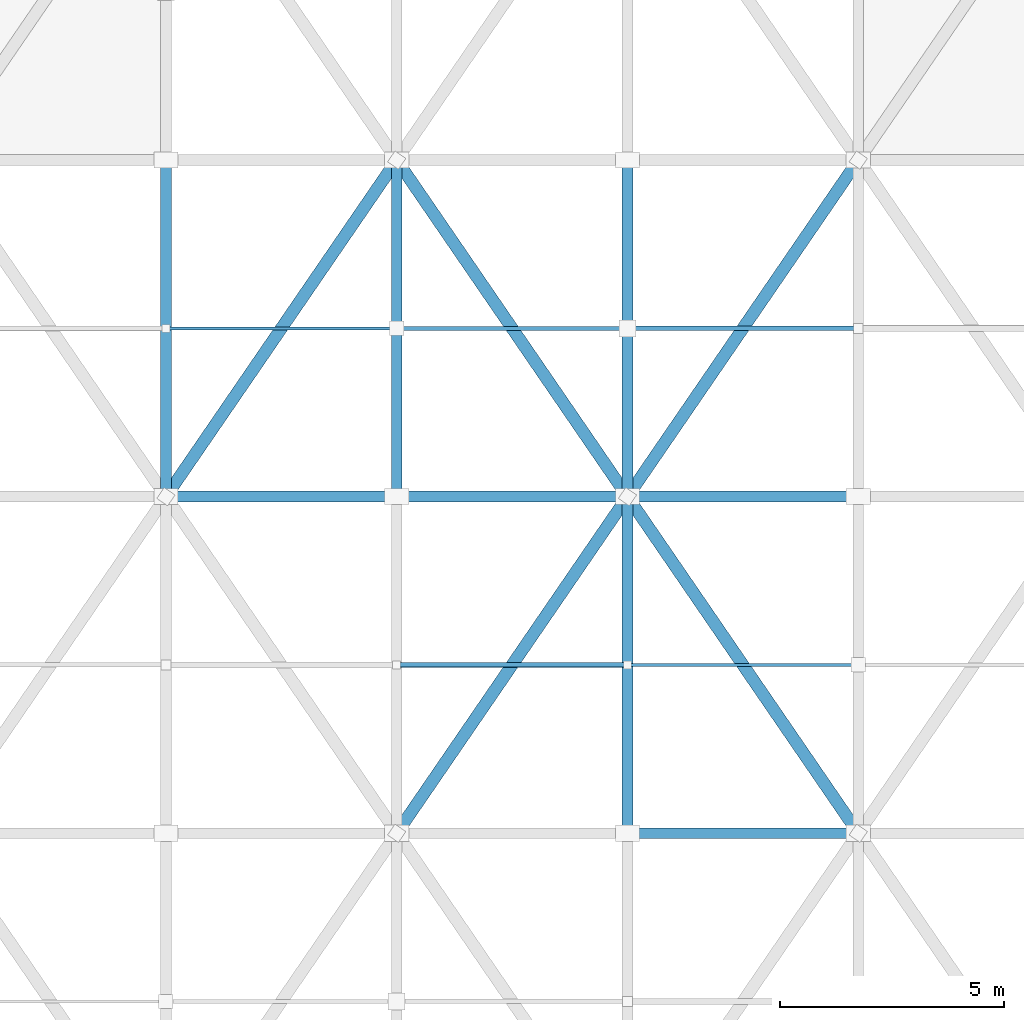
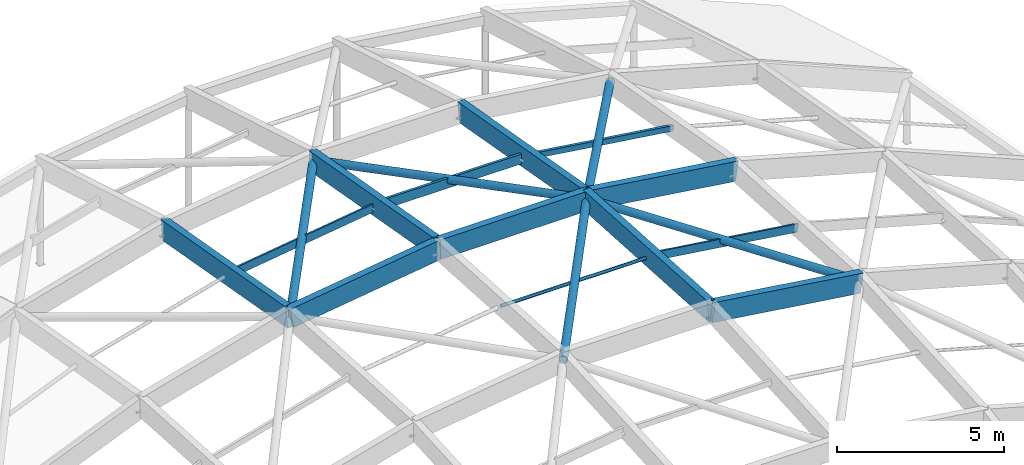
# One storey, part 43 of 81: 18 members.
"""IFC4 building model written with IfcOpenShell, lengths in metres."""

from ifc_helpers import new_model, si_unit, direction, frame, origin, origin_2d, place, context, subcontext, project, spatial, rectangle, hollow_rectangle, hollow_circle, extrude, material, material_profile, profile_set, type_object, element, save


model = new_model("IFC4")

# Units and contexts
model_context = context("Model", 3, precision=1e-05, world=origin(), true_north=direction((0.0, 1.0)))
body_context = subcontext(model_context, "Body", "Model", "MODEL_VIEW")
ifc_project = project(units=[si_unit("LENGTHUNIT", "METRE"), si_unit("AREAUNIT", "SQUARE_METRE"), si_unit("VOLUMEUNIT", "CUBIC_METRE"), si_unit("PLANEANGLEUNIT", "RADIAN"), si_unit("MASSUNIT", "GRAM", prefix="KILO")], contexts=[model_context])

# Site, building, storey
site_placement = place(None, origin())
site = spatial("IfcSite", under=ifc_project, at=site_placement, CompositionType="ELEMENT")
building_placement = place(site_placement, origin())
building = spatial("IfcBuilding", under=site, at=building_placement, Name="Marnridge Secondary College", CompositionType="ELEMENT")
storey_placement = place(building_placement, frame((0.0, 0.0, 8.5)))
storey = spatial("IfcBuildingStorey", under=building, at=storey_placement, Name="L02", CompositionType="ELEMENT", Elevation=8.5)

# Members
ifc_material_1 = material(Name="Cold-formed steel Grade C350L0 (AS/NZS 1163, fy = 350 MPa)", Category="steel")
ifc_material_profile_1 = material_profile(ifc_material_1, hollow_circle(Radius=0.136474609375, WallThickness=0.00927734375, at=origin_2d()), Name="273.1x9.3CHS")
ifc_profile_set_1 = profile_set([ifc_material_profile_1], Name="Cold-formed steel Grade C350L0 (AS/NZS 1163, fy = 350 MPa)")
member_type_1 = type_object("IfcMemberType", Name="MB-GS-CHS273", PredefinedType="BRACE", material=ifc_profile_set_1)
member_1_placement = place(storey_placement, frame((145.28564453125, 105.0, 7.247314453125), z_axis=(0.564255238618, 0.82283874159, -0.067471705406), x_axis=(-0.824718119143, 0.565544007092, 0.0)))
element("IfcMember", 1, at=member_1_placement, inside=storey, type_object=member_type_1, Name="Gridshell member GR-0114", PredefinedType="BRACE", context=body_context, shape_type="SweptSolid", body=[
    extrude(hollow_circle(Radius=0.136474609375, WallThickness=0.00927734375, at=origin_2d()), origin(), (0.0, 0.0, 1.0), 9.11474609375),
])
member_2_placement = place(storey_placement, frame((150.4287109375, 97.5, 8.41015625), z_axis=(0.564833626367, 0.823760396981, -0.048803513102), x_axis=(-0.824743162089, 0.565507485881, 0.0)))
element("IfcMember", 2, at=member_2_placement, inside=storey, type_object=member_type_1, Name="Gridshell member GR-0119", PredefinedType="BRACE", context=body_context, shape_type="SweptSolid", body=[
    extrude(hollow_circle(Radius=0.136474609375, WallThickness=0.00927734375, at=origin_2d()), origin(), (0.0, 0.0, 1.0), 9.1044921875),
])
member_3_placement = place(storey_placement, frame((155.5712890625, 105.0, 7.9658203125), z_axis=(-0.559523770734, 0.816016437378, -0.145087297557), x_axis=(-0.824743162089, -0.565507485881, 0.0)))
element("IfcMember", 3, at=member_3_placement, inside=storey, type_object=member_type_1, Name="Gridshell member GR-0120", PredefinedType="BRACE", context=body_context, shape_type="SweptSolid", body=[
    extrude(hollow_circle(Radius=0.136474609375, WallThickness=0.00927734375, at=origin_2d()), origin(), (0.0, 0.0, 1.0), 9.19091796875),
])
member_4_placement = place(storey_placement, frame((160.71435546875, 97.5, 7.69189453125), z_axis=(-0.565287620466, 0.824344237194, 0.030107885226), x_axis=(-0.824718119143, -0.565544007092, 0.0)))
element("IfcMember", 4, at=member_4_placement, inside=storey, type_object=member_type_1, Name="Gridshell member GR-0125", PredefinedType="BRACE", context=body_context, shape_type="SweptSolid", body=[
    extrude(hollow_circle(Radius=0.136474609375, WallThickness=0.00927734375, at=origin_2d()), origin(), (0.0, 0.0, 1.0), 9.09814453125),
])
member_5_placement = place(storey_placement, frame((155.5712890625, 105.0, 7.9658203125), z_axis=(0.551677348795, 0.804496731936, -0.220084327317), x_axis=(-0.824718119143, 0.565544007092, 0.0)))
element("IfcMember", 5, at=member_5_placement, inside=storey, type_object=member_type_1, Name="Gridshell member GR-0126", PredefinedType="BRACE", context=body_context, shape_type="SweptSolid", body=[
    extrude(hollow_circle(Radius=0.136474609375, WallThickness=0.00927734375, at=origin_2d()), origin(), (0.0, 0.0, 1.0), 9.322509765625),
])
ifc_material_2 = material(Name="Glulam timber GL18", Category="wood")
ifc_material_profile_2 = material_profile(ifc_material_2, rectangle(XDim=0.239990234375, YDim=0.719970703125, at=origin_2d()), Name="GL18 240x720")
ifc_profile_set_2 = profile_set([ifc_material_profile_2], Name="Glulam timber GL18")
member_type_2 = type_object("IfcMemberType", Name="MB-GS-GL720", PredefinedType="CHORD", material=ifc_profile_set_2)
for number, where, z_axis, x_axis, name in (
    (6, (145.28564453125, 105.0, 7.247314453125), (0.0, 0.984564348782, -0.175022978799), (-1.0, 0.0, 0.0), "Gridshell member GR-0017"),
    (7, (150.4287109375, 105.0, 7.9658203125), (0.0, 0.984558825488, -0.175054046381), (-1.0, 0.0, 0.0), "Gridshell member GR-0023"),
):
    element("IfcMember", number, at=place(storey_placement, frame(where, z_axis=z_axis, x_axis=x_axis)), inside=storey, type_object=member_type_2, Name=name, PredefinedType="CHORD", context=body_context, shape_type="SweptSolid", body=[
        extrude(rectangle(XDim=0.239990234375, YDim=0.719970703125, at=origin_2d()), origin(), (0.0, 0.0, 1.0), 7.61767578125),
    ])
member_6_placement = place(storey_placement, frame((155.5712890625, 97.5, 8.41015625), z_axis=(0.0, 0.998249633752, -0.059141091583), x_axis=(-1.0, 0.0, 0.0)))
element("IfcMember", 8, at=member_6_placement, inside=storey, type_object=member_type_2, Name="Gridshell member GR-0028", PredefinedType="CHORD", context=body_context, shape_type="SweptSolid", body=[
    extrude(rectangle(XDim=0.239990234375, YDim=0.719970703125, at=origin_2d()), origin(), (0.0, 0.0, 1.0), 7.51318359375),
])
member_7_placement = place(storey_placement, frame((155.5712890625, 105.0, 7.9658203125), z_axis=(0.0, 0.984558825488, -0.175054046381), x_axis=(-1.0, 0.0, 0.0)))
element("IfcMember", 9, at=member_7_placement, inside=storey, type_object=member_type_2, Name="Gridshell member GR-0029", PredefinedType="CHORD", context=body_context, shape_type="SweptSolid", body=[
    extrude(rectangle(XDim=0.239990234375, YDim=0.719970703125, at=origin_2d()), origin(), (0.0, 0.0, 1.0), 7.61767578125),
])
member_8_placement = place(storey_placement, frame((155.5712890625, 97.5, 8.41015625), z_axis=(0.990388427346, 0.0, -0.138314001389), x_axis=(0.0, 1.0, 0.0)))
element("IfcMember", 10, at=member_8_placement, inside=storey, type_object=member_type_2, Name="Gridshell member GR-0074", PredefinedType="CHORD", context=body_context, shape_type="SweptSolid", body=[
    extrude(rectangle(XDim=0.239990234375, YDim=0.719970703125, at=origin_2d()), origin(), (0.0, 0.0, 1.0), 5.19287109375),
])
member_9_placement = place(storey_placement, frame((145.28564453125, 105.0, 7.247314453125), z_axis=(0.990381986176, 0.0, 0.138360115129), x_axis=(0.0, 1.0, 0.0)))
element("IfcMember", 11, at=member_9_placement, inside=storey, type_object=member_type_2, Name="Gridshell member GR-0079", PredefinedType="CHORD", context=body_context, shape_type="SweptSolid", body=[
    extrude(rectangle(XDim=0.239990234375, YDim=0.719970703125, at=origin_2d()), origin(), (0.0, 0.0, 1.0), 5.193115234375),
])
member_10_placement = place(storey_placement, frame((150.4287109375, 105.0, 7.9658203125), z_axis=(1.0, 0.0, 0.0), x_axis=(0.0, 1.0, 0.0)))
element("IfcMember", 12, at=member_10_placement, inside=storey, type_object=member_type_2, Name="Gridshell member GR-0080", PredefinedType="CHORD", context=body_context, shape_type="SweptSolid", body=[
    extrude(rectangle(XDim=0.239990234375, YDim=0.719970703125, at=origin_2d()), origin(), (0.0, 0.0, 1.0), 5.142578125),
])
member_11_placement = place(storey_placement, frame((155.5712890625, 105.0, 7.9658203125), z_axis=(0.990381986176, 0.0, -0.138360115129), x_axis=(0.0, 1.0, 0.0)))
element("IfcMember", 13, at=member_11_placement, inside=storey, type_object=member_type_2, Name="Gridshell member GR-0081", PredefinedType="CHORD", context=body_context, shape_type="SweptSolid", body=[
    extrude(rectangle(XDim=0.239990234375, YDim=0.719970703125, at=origin_2d()), origin(), (0.0, 0.0, 1.0), 5.193115234375),
])
ifc_material_3 = material(Name="Cold-formed steel Grade C350L0 (AS/NZS 1163, fy = 350 MPa)", Category="steel")
ifc_material_profile_3 = material_profile(ifc_material_3, hollow_circle(Radius=0.05712890625, WallThickness=0.00439453125, at=origin_2d()), Name="114.3x4.5CHS")
ifc_profile_set_3 = profile_set([ifc_material_profile_3], Name="Cold-formed steel Grade C350L0 (AS/NZS 1163, fy = 350 MPa)")
member_type_3 = type_object("IfcMemberType", Name="MB-PR-CHS114", PredefinedType="PURLIN", material=ifc_profile_set_3)
member_12_placement = place(storey_placement, frame((150.4287109375, 101.25, 8.10791015625), z_axis=(1.0, 0.0, 0.0), x_axis=(0.0, 1.0, 0.0)))
element("IfcMember", 14, at=member_12_placement, inside=storey, type_object=member_type_3, Name="Gridshell purlin PR-0044", PredefinedType="PURLIN", context=body_context, shape_type="SweptSolid", body=[
    extrude(hollow_circle(Radius=0.05712890625, WallThickness=0.00439453125, at=origin_2d()), origin(), (0.0, 0.0, 1.0), 5.142578125),
])
ifc_material_4 = material(Name="Engineered timber LVL E13.2", Category="wood")
ifc_material_profile_4 = material_profile(ifc_material_4, rectangle(XDim=0.06298828125, YDim=0.300048828125, at=origin_2d()), Name="LVL 63x300")
ifc_profile_set_4 = profile_set([ifc_material_profile_4], Name="Engineered timber LVL E13.2")
member_type_4 = type_object("IfcMemberType", Name="MB-PR-LVL300", PredefinedType="PURLIN", material=ifc_profile_set_4)
for number, where, z_axis, x_axis, name in (
    (15, (145.28564453125, 108.75, 6.500732421875), (0.990388427346, 0.0, 0.138314001389), (0.0, 1.0, 0.0), "Gridshell purlin PR-0039"),
    (16, (155.5712890625, 101.25, 8.10791015625), (0.990388427346, 0.0, -0.138314001389), (0.0, 1.0, 0.0), "Gridshell purlin PR-0050"),
):
    element("IfcMember", number, at=place(storey_placement, frame(where, z_axis=z_axis, x_axis=x_axis)), inside=storey, type_object=member_type_4, Name=name, PredefinedType="PURLIN", context=body_context, shape_type="SweptSolid", body=[
        extrude(rectangle(XDim=0.06298828125, YDim=0.300048828125, at=origin_2d()), origin(), (0.0, 0.0, 1.0), 5.19287109375),
    ])
ifc_material_5 = material(Name="Engineered timber LVL E13.2", Category="wood")
ifc_material_profile_5 = material_profile(ifc_material_5, rectangle(XDim=0.090087890625, YDim=0.360107421875, at=origin_2d()), Name="LVL 90x360")
ifc_profile_set_5 = profile_set([ifc_material_profile_5], Name="Engineered timber LVL E13.2")
member_type_5 = type_object("IfcMemberType", Name="MB-PR-LVL360", PredefinedType="PURLIN", material=ifc_profile_set_5)
member_13_placement = place(storey_placement, frame((150.4287109375, 108.75, 7.218994140625), z_axis=(1.0, 0.0, 0.0), x_axis=(0.0, 1.0, 0.0)))
element("IfcMember", 17, at=member_13_placement, inside=storey, type_object=member_type_5, Name="Gridshell purlin PR-0045", PredefinedType="PURLIN", context=body_context, shape_type="SweptSolid", body=[
    extrude(rectangle(XDim=0.090087890625, YDim=0.360107421875, at=origin_2d()), origin(), (0.0, 0.0, 1.0), 5.142578125),
])
ifc_material_6 = material(Name="Cold-formed steel Grade C350L0 (AS/NZS 1163, fy = 350 MPa)", Category="steel")
ifc_material_profile_6 = material_profile(ifc_material_6, hollow_rectangle(XDim=0.10009765625, YDim=0.199951171875, WallThickness=0.006103515625, at=origin_2d()), Name="200x100x6.0RHS")
ifc_profile_set_6 = profile_set([ifc_material_profile_6], Name="Cold-formed steel Grade C350L0 (AS/NZS 1163, fy = 350 MPa)")
member_type_6 = type_object("IfcMemberType", Name="MB-PR-RHS200", PredefinedType="PURLIN", material=ifc_profile_set_6)
member_14_placement = place(storey_placement, frame((155.5712890625, 108.75, 7.218994140625), z_axis=(0.990388427346, 0.0, -0.138314001389), x_axis=(0.0, 1.0, 0.0)))
element("IfcMember", 18, at=member_14_placement, inside=storey, type_object=member_type_6, Name="Gridshell purlin PR-0051", PredefinedType="PURLIN", context=body_context, shape_type="SweptSolid", body=[
    extrude(hollow_rectangle(XDim=0.10009765625, YDim=0.199951171875, WallThickness=0.006103515625, at=origin_2d()), origin(), (0.0, 0.0, 1.0), 5.19287109375),
])

save(model, "model.ifc")
